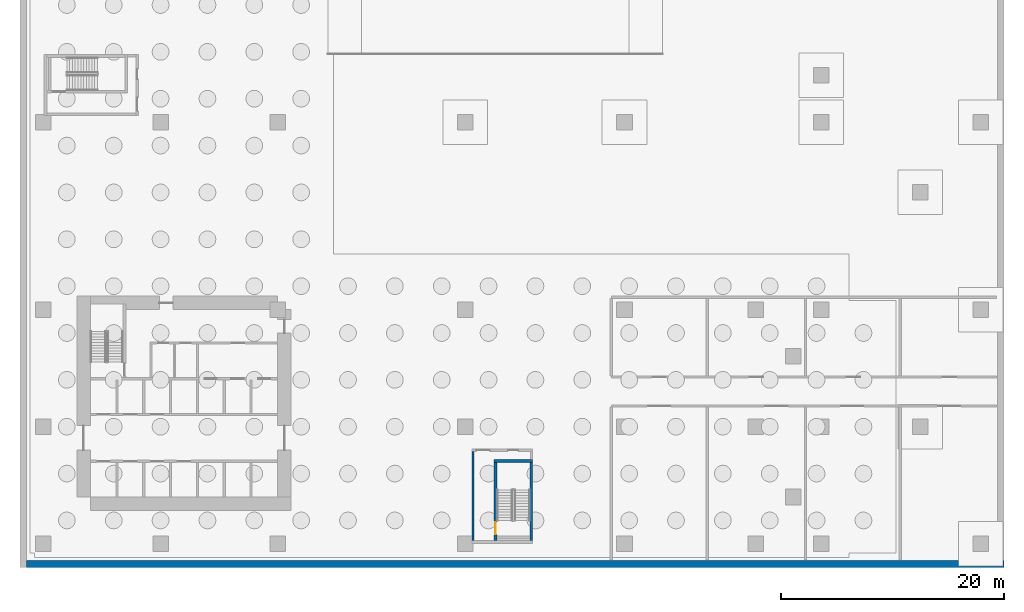
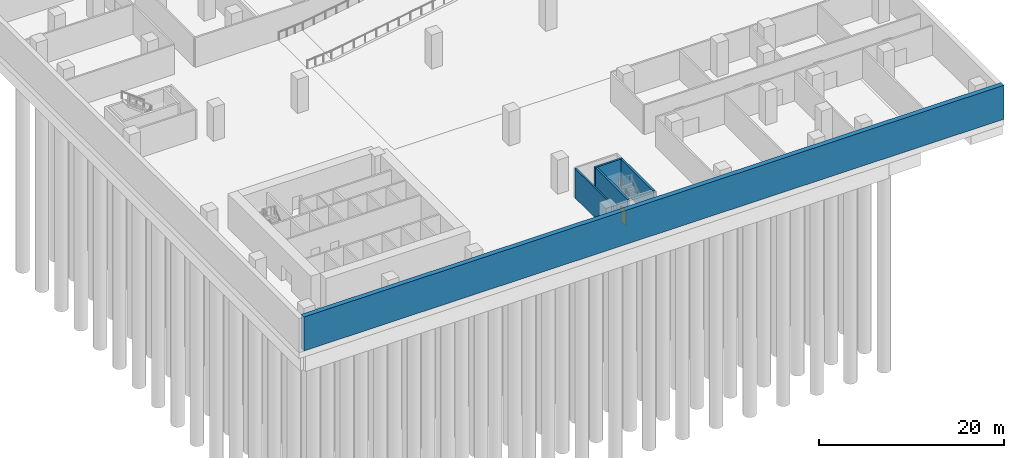
# One storey, part 4 of 13: 5 walls, 1 door, 1 opening.
"""IFC4 building model written with IfcOpenShell, lengths in metres."""

from ifc_helpers import new_model, si_unit, direction, frame, frame_2d, origin, place, context, subcontext, project, spatial, rectangle, extrude, source, transform, mapped, material, layer, layer_set, type_object, element, fill, save


model = new_model("IFC4")

# Units and contexts
model_context = context("Model", 3, precision=1e-05, world=origin(), true_north=direction((0.0, 1.0)))
body_context = subcontext(model_context, "Body", "Model", "MODEL_VIEW")
ifc_project = project(units=[si_unit("LENGTHUNIT", "METRE"), si_unit("AREAUNIT", "SQUARE_METRE"), si_unit("VOLUMEUNIT", "CUBIC_METRE"), si_unit("PLANEANGLEUNIT", "RADIAN"), si_unit("MASSUNIT", "GRAM", prefix="KILO")], contexts=[model_context])

# Site, building, storey
site_placement = place(None, origin())
site = spatial("IfcSite", under=ifc_project, at=site_placement, CompositionType="ELEMENT")
building_placement = place(site_placement, origin())
building = spatial("IfcBuilding", under=site, at=building_placement, Name="Aurelian Terraces", CompositionType="ELEMENT")
storey_placement = place(building_placement, frame((0.0, 0.0, -13.5)))
storey = spatial("IfcBuildingStorey", under=building, at=storey_placement, Name="B3", CompositionType="ELEMENT", Elevation=-13.5)

# Wall
ifc_material_1 = material(Name="Gypsum board on steel studs", Category="steel")
ifc_layer_1 = layer(ifc_material_1, 0.2)
ifc_layer_set_1 = layer_set([ifc_layer_1], Name="Core partition 200")
wall_type_1 = type_object("IfcWallType", Name="Core partition 200", PredefinedType="PARTITIONING", material=ifc_layer_set_1)
wall_1_placement = place(storey_placement, frame((38.5, 0.3, 0.0), z_axis=(0.0, 0.0, 1.0), x_axis=(0.0, 1.0, 0.0)))
element("IfcWall", 1, at=wall_1_placement, inside=storey, type_object=wall_type_1, Name="B3 core wall ST-S2-VW", PredefinedType="PARTITIONING", context=body_context, shape_type="SweptSolid", body=[
    extrude(rectangle(XDim=8.0, YDim=0.2, at=frame_2d((4.0, 0.0))), origin(), (0.0, 0.0, 1.0), 3.9),
])

# Wall, opening, door
ifc_material_2 = material(Name="Concrete fc' 40 MPa", Category="concrete")
ifc_layer_2 = layer(ifc_material_2, 0.25)
ifc_layer_set_2 = layer_set([ifc_layer_2], Name="Stair enclosure wall 250")
wall_type_2 = type_object("IfcWallType", Name="Stair enclosure wall 250", PredefinedType="SOLIDWALL", material=ifc_layer_set_2)
wall_2_placement = place(storey_placement, frame((40.525, 0.3, 0.0), z_axis=(0.0, 0.0, 1.0), x_axis=(0.0, 1.0, 0.0)))
wall_2 = element("IfcWall", 2, at=wall_2_placement, inside=storey, type_object=wall_type_2, Name="B3 core wall ST-S2-W", PredefinedType="SOLIDWALL", context=body_context, shape_type="SweptSolid", body=[
    extrude(rectangle(XDim=7.0, YDim=0.25, at=frame_2d((3.5, 0.0))), origin(), (0.0, 0.0, 1.0), 3.9),
])
shared_shape_1 = source(origin(), body_context, "Body", "SweptSolid", [
    extrude(rectangle(XDim=1.1, YDim=2.1, at=frame_2d((0.55, 1.05))), frame((0.0, 0.135, 0.0), z_axis=(0.0, -1.0, 0.0), x_axis=(1.0, 0.0, 0.0)), (0.0, 0.0, 1.0), 0.27),
])
opening_placement = place(wall_2_placement, frame((0.55, 0.0, 0.0)))
opening = element("IfcOpeningElement", 3, at=opening_placement, cuts=wall_2, Name="Opening 60014", PredefinedType="OPENING", context=body_context, shape_type="MappedRepresentation", body=[
    mapped(shared_shape_1, transform((0.0, 0.0, 0.0), scale=1.0)),
])
ifc_material_3 = material(Name="Steel door leaf", Category="steel")
door_type = type_object("IfcDoorType", Name="Core fire door 1100x2100", OperationType="SINGLE_SWING_LEFT", PredefinedType="DOOR", material=ifc_material_3)
shared_shape_2 = source(origin(), body_context, "Body", "SweptSolid", [
    extrude(rectangle(XDim=1.1, YDim=2.1, at=frame_2d((0.55, 1.05))), frame((0.0, 0.025, 0.0), z_axis=(0.0, -1.0, 0.0), x_axis=(1.0, 0.0, 0.0)), (0.0, 0.0, 1.0), 0.05),
])
door_placement = place(opening_placement, origin())
door = element("IfcDoor", 4, at=door_placement, inside=storey, type_object=door_type, Name="Stair door 60014", OperationType="SINGLE_SWING_LEFT", OverallHeight=2.1, OverallWidth=1.1, PredefinedType="DOOR", context=body_context, shape_type="MappedRepresentation", body=[
    mapped(shared_shape_2, transform((0.0, 0.0, 0.0), scale=1.0)),
])
fill(opening, door)

# Walls
wall_3_placement = place(storey_placement, frame((40.4, 7.425, 0.0), z_axis=(0.0, 0.0, 1.0), x_axis=(1.0, 0.0, 0.0)))
element("IfcWall", 5, at=wall_3_placement, inside=storey, type_object=wall_type_2, Name="B3 core wall ST-S2-N", PredefinedType="SOLIDWALL", context=body_context, shape_type="SweptSolid", body=[
    extrude(rectangle(XDim=3.45, YDim=0.25, at=frame_2d((1.725, 0.0))), origin(), (0.0, 0.0, 1.0), 3.9),
])
ifc_layer_3 = layer(ifc_material_2, 0.6)
ifc_layer_set_3 = layer_set([ifc_layer_3], Name="BASEMENT WALL 600 FC40")
wall_type_3 = type_object("IfcWallType", Name="BASEMENT WALL 600 FC40", PredefinedType="SOLIDWALL", material=ifc_layer_set_3)
shared_shape_3 = source(origin(), body_context, "Body", "SweptSolid", [
    extrude(rectangle(XDim=87.6, YDim=0.6, at=frame_2d((43.8, 0.0))), origin(), (0.0, 0.0, 1.0), 4.5),
])
wall_4_placement = place(storey_placement, frame((-1.5, -1.8, 0.0), z_axis=(0.0, 0.0, 1.0), x_axis=(1.0, 0.0, 0.0)))
element("IfcWall", 6, at=wall_4_placement, inside=storey, type_object=wall_type_3, Name="Basement wall 4 B3", PredefinedType="SOLIDWALL", context=body_context, shape_type="MappedRepresentation", body=[
    mapped(shared_shape_3, transform((0.0, 0.0, 0.0), scale=1.0)),
])
shared_shape_4 = source(origin(), body_context, "Body", "SweptSolid", [
    extrude(rectangle(XDim=7.0, YDim=0.25, at=frame_2d((3.5, 0.0))), origin(), (0.0, 0.0, 1.0), 3.9),
])
wall_5_placement = place(storey_placement, frame((43.725, 0.3, 0.0), z_axis=(0.0, 0.0, 1.0), x_axis=(0.0, 1.0, 0.0)))
element("IfcWall", 7, at=wall_5_placement, inside=storey, type_object=wall_type_2, Name="B3 core wall ST-S2-E", PredefinedType="SOLIDWALL", context=body_context, shape_type="MappedRepresentation", body=[
    mapped(shared_shape_4, transform((0.0, 0.0, 0.0), scale=1.0)),
])

save(model, "model.ifc")
